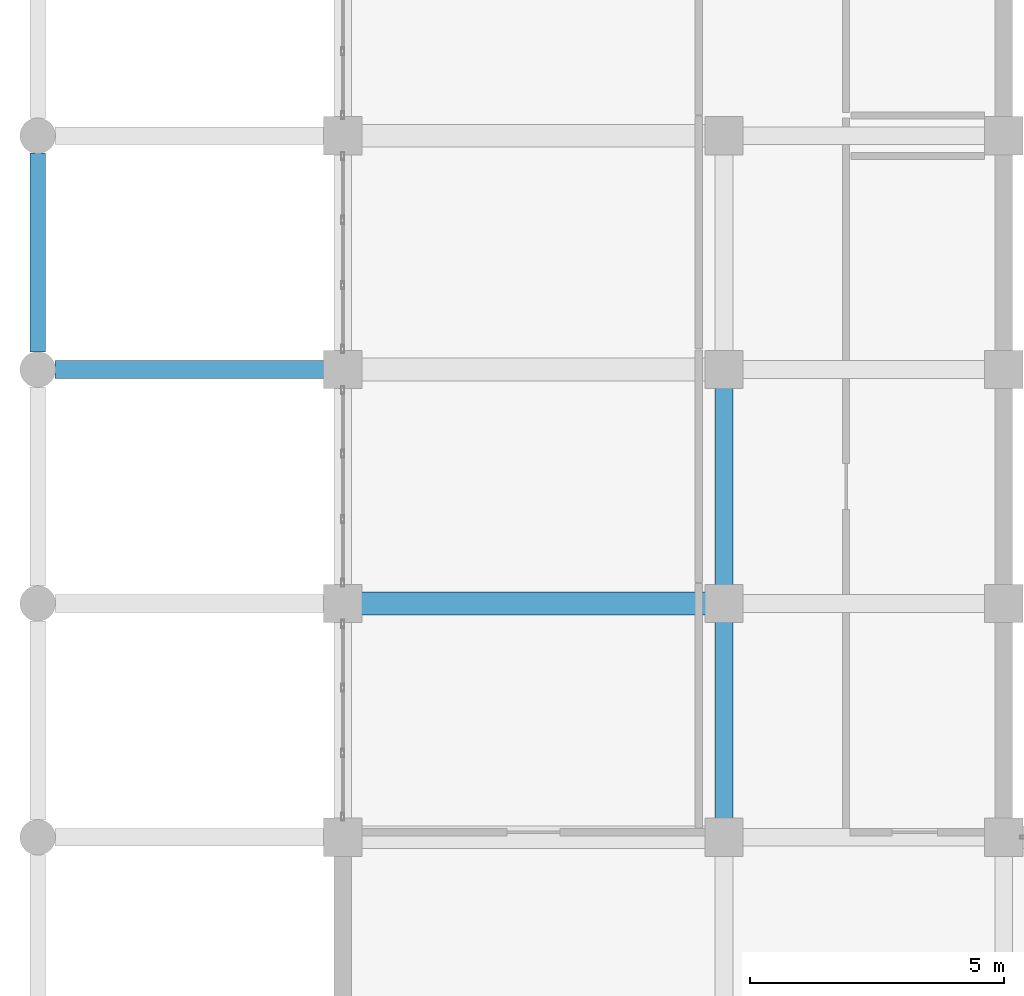
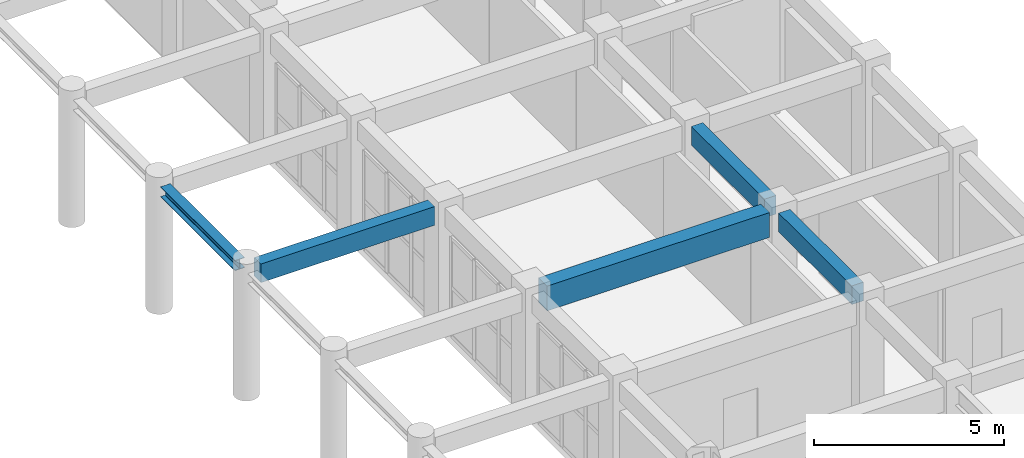
# One storey, part 19 of 116: 5 beams.
"""IFC4 building model written with IfcOpenShell, lengths in metres."""

from ifc_helpers import new_model, si_unit, direction, frame, origin, origin_2d, place, context, subcontext, project, spatial, rectangle, i_section, extrude, material, material_profile, profile_set, type_object, element, save


model = new_model("IFC4")

# Units and contexts
model_context = context("Model", 3, precision=1e-05, world=origin(), true_north=direction((0.0, 1.0)))
body_context = subcontext(model_context, "Body", "Model", "MODEL_VIEW")
ifc_project = project(units=[si_unit("LENGTHUNIT", "METRE"), si_unit("AREAUNIT", "SQUARE_METRE"), si_unit("VOLUMEUNIT", "CUBIC_METRE"), si_unit("PLANEANGLEUNIT", "RADIAN"), si_unit("MASSUNIT", "GRAM", prefix="KILO")], contexts=[model_context])

# Site, building, storey
site_placement = place(None, origin())
site = spatial("IfcSite", under=ifc_project, at=site_placement, CompositionType="ELEMENT")
building_placement = place(site_placement, origin())
building = spatial("IfcBuilding", under=site, at=building_placement, Name="Muzn Square Opera House", CompositionType="ELEMENT")
storey_placement = place(building_placement, frame((0.0, 0.0, 5.39990234375)))
storey = spatial("IfcBuildingStorey", under=building, at=storey_placement, Name="L01", CompositionType="ELEMENT", Elevation=5.39990234375)

# Beams
ifc_material_1 = material(Name="Concrete C40/50", Category="concrete")
ifc_material_profile_1 = material_profile(ifc_material_1, rectangle(XDim=0.35009765625, YDim=0.60009765625, at=origin_2d()), Name="RCB 350x600", Category="concrete")
ifc_profile_set_1 = profile_set([ifc_material_profile_1], Name="Concrete C40/50")
beam_type_1 = type_object("IfcBeamType", Name="Primary Girder 350x600", PredefinedType="BEAM", material=ifc_profile_set_1)
beam_1_placement = place(storey_placement, frame((0.342041015625, 40.39990234375, 3.85009765625), z_axis=(1.0, 0.0, 0.0), x_axis=(0.0, 1.0, 0.0)))
element("IfcBeam", 1, at=beam_1_placement, inside=storey, type_object=beam_type_1, Name="Primary Girder BM-L01-BM-PG600-3_404_56_404-1348", PredefinedType="BEAM", context=body_context, shape_type="SweptSolid", body=[
    extrude(rectangle(XDim=0.35009765625, YDim=0.60009765625, at=origin_2d()), origin(), (0.0, 0.0, 1.0), 5.291015625),
])
beam_2_placement = place(storey_placement, frame((13.5, 31.56689453125, 3.85009765625), z_axis=(0.0, 1.0, 0.0), x_axis=(-1.0, 0.0, 0.0)))
element("IfcBeam", 2, at=beam_2_placement, inside=storey, type_object=beam_type_1, Name="Primary Girder BM-L01-BM-PG600-135_316_135_354-1545", PredefinedType="BEAM", context=body_context, shape_type="SweptSolid", body=[
    extrude(rectangle(XDim=0.35009765625, YDim=0.60009765625, at=origin_2d()), origin(), (0.0, 0.0, 1.0), 3.8662109375),
])
beam_3_placement = place(storey_placement, frame((13.5, 36.1669921875, 3.85009765625), z_axis=(0.0, 1.0, 0.0), x_axis=(-1.0, 0.0, 0.0)))
element("IfcBeam", 3, at=beam_3_placement, inside=storey, type_object=beam_type_1, Name="Primary Girder BM-L01-BM-PG600-135_362_135_400-1546", PredefinedType="BEAM", context=body_context, shape_type="SweptSolid", body=[
    extrude(rectangle(XDim=0.35009765625, YDim=0.60009765625, at=origin_2d()), origin(), (0.0, 0.0, 1.0), 3.865966796875),
])
ifc_material_profile_2 = material_profile(ifc_material_1, rectangle(XDim=0.449951171875, YDim=0.800048828125, at=origin_2d()), Name="RCB 450x800", Category="concrete")
ifc_profile_set_2 = profile_set([ifc_material_profile_2], Name="Concrete C40/50")
beam_type_2 = type_object("IfcBeamType", Name="Primary Girder 450x800", PredefinedType="BEAM", material=ifc_profile_set_2)
beam_4_placement = place(storey_placement, frame((6.366943359375, 35.800048828125, 3.75), z_axis=(1.0, 0.0, 0.0), x_axis=(0.0, 1.0, 0.0)))
element("IfcBeam", 4, at=beam_4_placement, inside=storey, type_object=beam_type_2, Name="Primary Girder BM-L01-BM-PG800-64_358_131_358-1334", PredefinedType="BEAM", context=body_context, shape_type="SweptSolid", body=[
    extrude(rectangle(XDim=0.449951171875, YDim=0.800048828125, at=origin_2d()), origin(), (0.0, 0.0, 1.0), 6.76611328125),
])
ifc_material_2 = material(Name="Steel S355", Category="steel")
ifc_material_profile_3 = material_profile(ifc_material_2, i_section(OverallWidth=0.300048828125, OverallDepth=0.330078125, WebThickness=0.009521484375, FlangeThickness=0.0166015625, FilletRadius=0.027099609375, at=origin_2d()), Name="HEA 340", Category="steel")
ifc_profile_set_3 = profile_set([ifc_material_profile_3], Name="Steel S355")
beam_type_3 = type_object("IfcBeamType", Name="Steel Spandrel Beam HEA340", PredefinedType="SPANDREL", material=ifc_profile_set_3)
beam_5_placement = place(storey_placement, frame((0.0, 40.741943359375, 3.955078125), z_axis=(0.0, 1.0, 0.0), x_axis=(-1.0, 0.0, 0.0)))
element("IfcBeam", 5, at=beam_5_placement, inside=storey, type_object=beam_type_3, Name="Spandrel Beam BM-L01-BM-SSP340-0_407_0_447-1515", PredefinedType="SPANDREL", context=body_context, shape_type="SweptSolid", body=[
    extrude(i_section(OverallWidth=0.300048828125, OverallDepth=0.330078125, WebThickness=0.009521484375, FlangeThickness=0.0166015625, FilletRadius=0.027099609375, at=origin_2d()), origin(), (0.0, 0.0, 1.0), 3.916015625),
])

save(model, "model.ifc")
